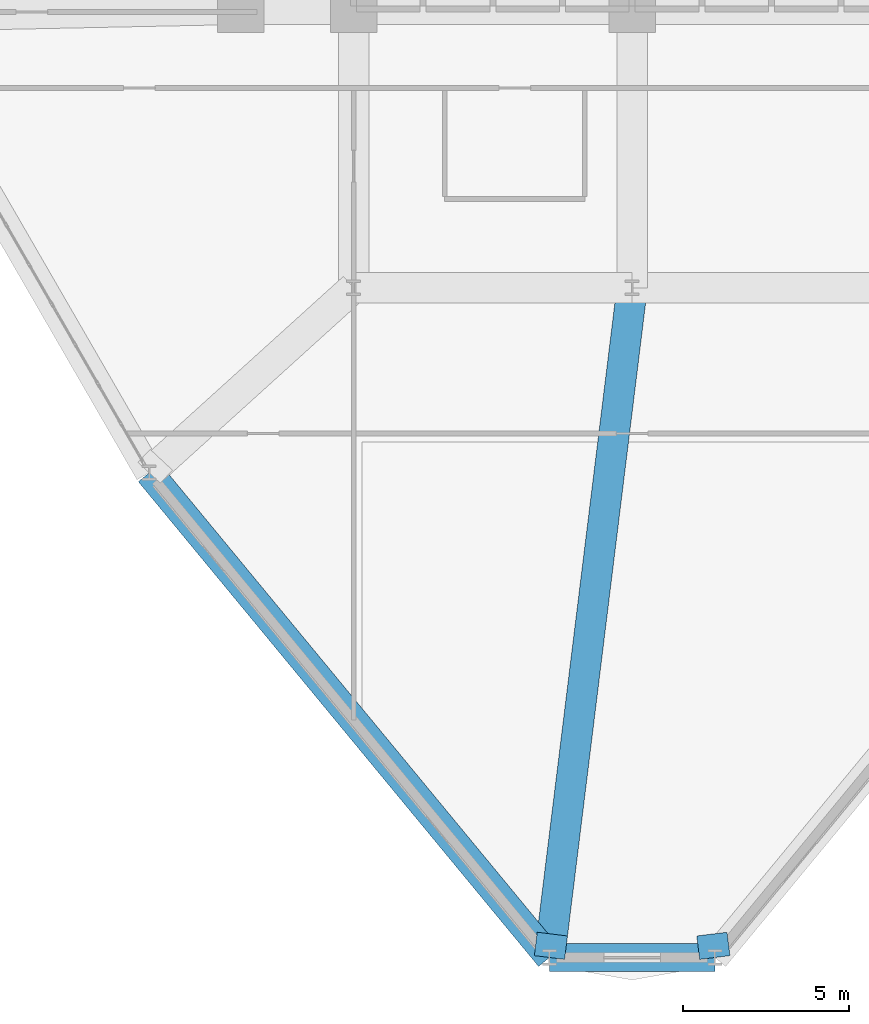
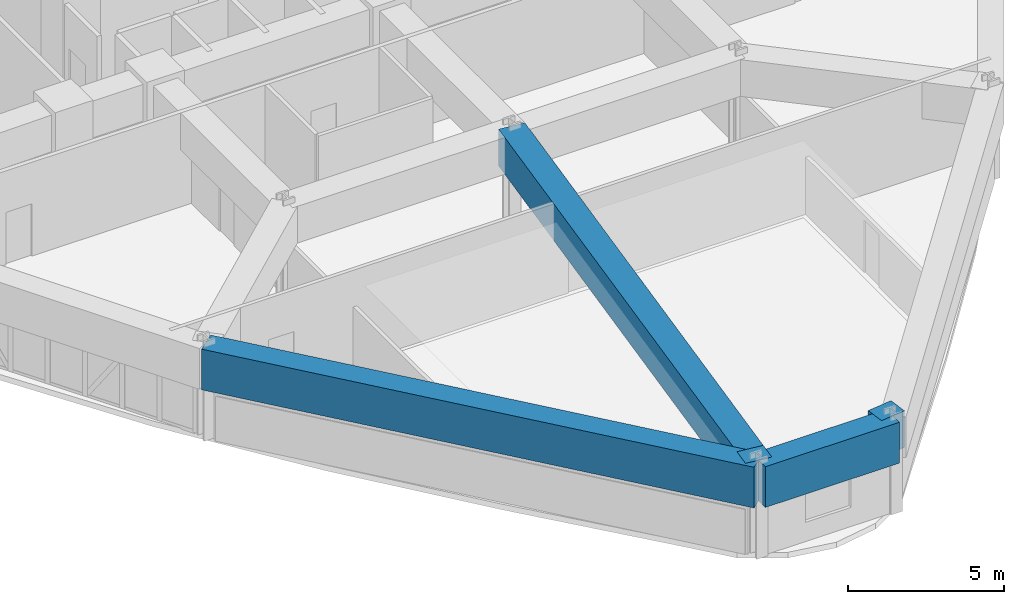
# One storey, part 3 of 20: 5 beams.
"""IFC4 building model written with IfcOpenShell, lengths in metres."""

from ifc_helpers import new_model, si_unit, derived_unit, direction, frame, origin, origin_2d, place, context, subcontext, project, spatial, rectangle, extrude, source, transform, mapped, material, material_profile, profile_set, type_object, element, save


model = new_model("IFC4")

# Units and contexts
model_context = context("Model", 3, precision=1e-05, world=origin(), true_north=direction((0.0, 1.0)))
body_context = subcontext(model_context, "Body", "Model", "MODEL_VIEW")
ifc_project = project(units=[si_unit("LENGTHUNIT", "METRE"), si_unit("AREAUNIT", "SQUARE_METRE"), si_unit("VOLUMEUNIT", "CUBIC_METRE"), si_unit("PLANEANGLEUNIT", "RADIAN"), si_unit("MASSUNIT", "GRAM", prefix="KILO"), derived_unit("THERMALTRANSMITTANCEUNIT", [(si_unit("POWERUNIT", "WATT"), 1), (si_unit("LENGTHUNIT", "METRE"), -2), (si_unit("THERMODYNAMICTEMPERATUREUNIT", "KELVIN"), -1)])], contexts=[model_context])

# Site, building, storey
site_placement = place(None, origin())
site = spatial("IfcSite", under=ifc_project, at=site_placement, CompositionType="ELEMENT")
building_placement = place(site_placement, origin())
building = spatial("IfcBuilding", under=site, at=building_placement, Name="Korsvarv Bourse and Concert Hall", CompositionType="ELEMENT")
storey_placement = place(building_placement, frame((0.0, 0.0, 43.5)))
storey = spatial("IfcBuildingStorey", under=building, at=storey_placement, Name="L10", CompositionType="ELEMENT", Elevation=43.5)

# Beams
ifc_material_1 = material(Name="Concrete C55/67", Category="concrete")
ifc_material_profile_1 = material_profile(ifc_material_1, rectangle(XDim=0.85009765625, YDim=1.60009765625, at=origin_2d()), Name="RC-BM 850x1600")
ifc_profile_set_1 = profile_set([ifc_material_profile_1], Name="Concrete C55/67")
beam_type_1 = type_object("IfcBeamType", Name="BM-TR1B", PredefinedType="BEAM", material=ifc_profile_set_1)
shared_shape_1 = source(origin(), body_context, "Body", "SweptSolid", [
    extrude(rectangle(XDim=0.85009765625, YDim=1.60009765625, at=origin_2d()), origin(), (0.0, 0.0, 1.0), 18.95849609375),
])
beam_1_placement = place(storey_placement, frame((21.436279296875, 18.422119140625, 2.8798828125), z_axis=(0.636697061267, -0.771114033184, 0.0), x_axis=(0.771114033184, 0.636697061267, 0.0)))
element("IfcBeam", 1, at=beam_1_placement, inside=storey, type_object=beam_type_1, Name="L10 beam B-TR2", PredefinedType="BEAM", context=body_context, shape_type="MappedRepresentation", body=[
    mapped(shared_shape_1, transform((0.0, 0.0, 0.0), scale=1.0)),
])
shared_shape_2 = source(origin(), body_context, "Body", "SweptSolid", [
    extrude(rectangle(XDim=0.85009765625, YDim=1.60009765625, at=origin_2d()), origin(), (0.0, 0.0, 1.0), 4.98583984375),
])
beam_2_placement = place(storey_placement, frame((33.507080078125, 3.802978515625, 2.8798828125), z_axis=(1.0, 0.0, 0.0), x_axis=(0.0, 1.0, 0.0)))
element("IfcBeam", 2, at=beam_2_placement, inside=storey, type_object=beam_type_1, Name="L10 beam B-TR2", PredefinedType="BEAM", context=body_context, shape_type="MappedRepresentation", body=[
    mapped(shared_shape_2, transform((0.0, 0.0, 0.0), scale=1.0)),
])
ifc_material_2 = material(Name="Concrete C50/60", Category="concrete")
ifc_material_profile_2 = material_profile(ifc_material_2, rectangle(XDim=0.919921875, YDim=1.43994140625, at=origin_2d()), Name="RC-BM 920x1440")
ifc_profile_set_2 = profile_set([ifc_material_profile_2], Name="Concrete C50/60")
beam_type_2 = type_object("IfcBeamType", Name="BM-TR-144", PredefinedType="BEAM", material=ifc_profile_set_2)
shared_shape_3 = source(origin(), body_context, "Body", "SweptSolid", [
    extrude(rectangle(XDim=0.919921875, YDim=1.43994140625, at=origin_2d()), origin(), (0.0, 0.0, 1.0), 20.350341796875),
])
beam_3_placement = place(storey_placement, frame((33.507080078125, 3.802978515625, 2.9599609375), z_axis=(0.122500458282, 0.992468456789, 0.0), x_axis=(-0.992468456789, 0.122500458282, 0.0)))
element("IfcBeam", 3, at=beam_3_placement, inside=storey, type_object=beam_type_2, Name="L10 beam B-TR4", PredefinedType="BEAM", context=body_context, shape_type="MappedRepresentation", body=[
    mapped(shared_shape_3, transform((0.0, 0.0, 0.0), scale=1.0)),
])
shared_shape_4 = source(origin(), body_context, "Body", "SweptSolid", [
    extrude(rectangle(XDim=0.919921875, YDim=1.43994140625, at=origin_2d()), origin(), (0.0, 0.0, 1.0), 0.71142578125),
])
for number, where, z_axis, x_axis, name in (
    (4, (33.507080078125, 3.802978515625, 2.9599609375), (0.123190018429, 0.992383101105, 0.0), (-0.992383101105, 0.123190018429, 0.0), "L10 beam B-TR4"),
    (5, (38.492919921875, 3.802978515625, 2.9599609375), (-0.123190018429, 0.992383101105, 0.0), (-0.992383101105, -0.123190018429, 0.0), "L10 beam B-TR4"),
):
    element("IfcBeam", number, at=place(storey_placement, frame(where, z_axis=z_axis, x_axis=x_axis)), inside=storey, type_object=beam_type_2, Name=name, PredefinedType="BEAM", context=body_context, shape_type="MappedRepresentation", body=[
        mapped(shared_shape_4, transform((0.0, 0.0, 0.0), scale=1.0)),
    ])

save(model, "model.ifc")
